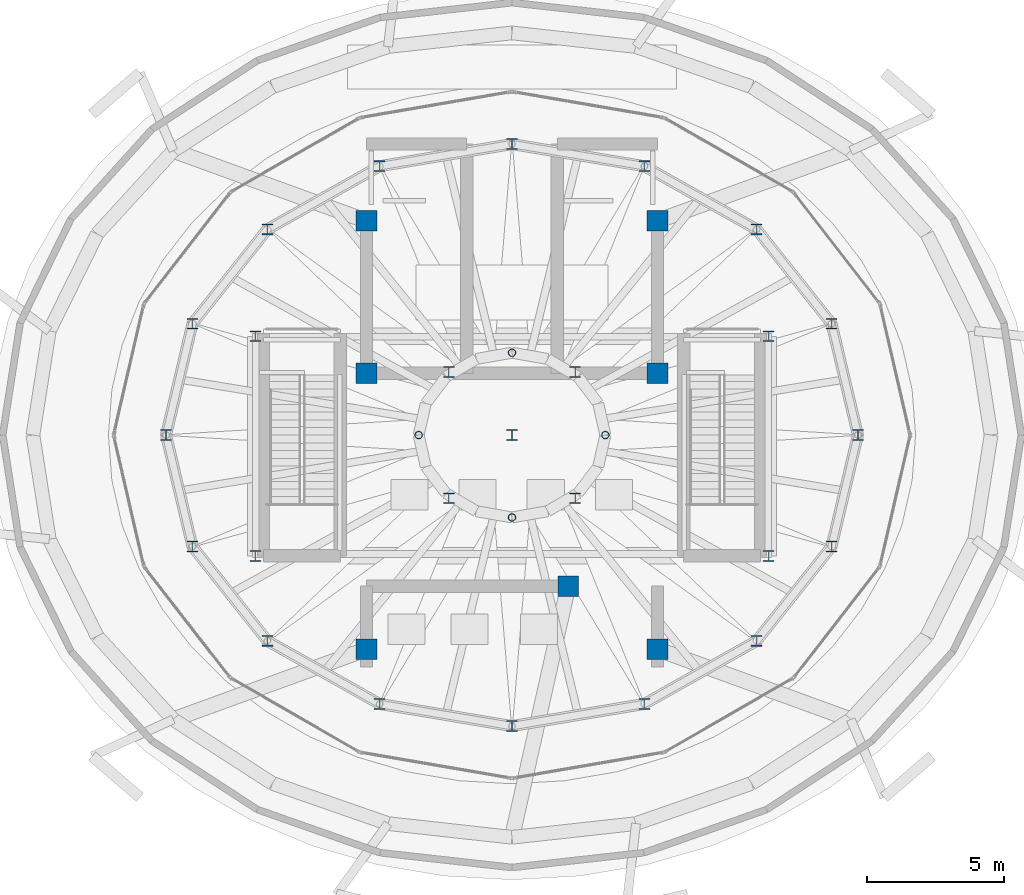
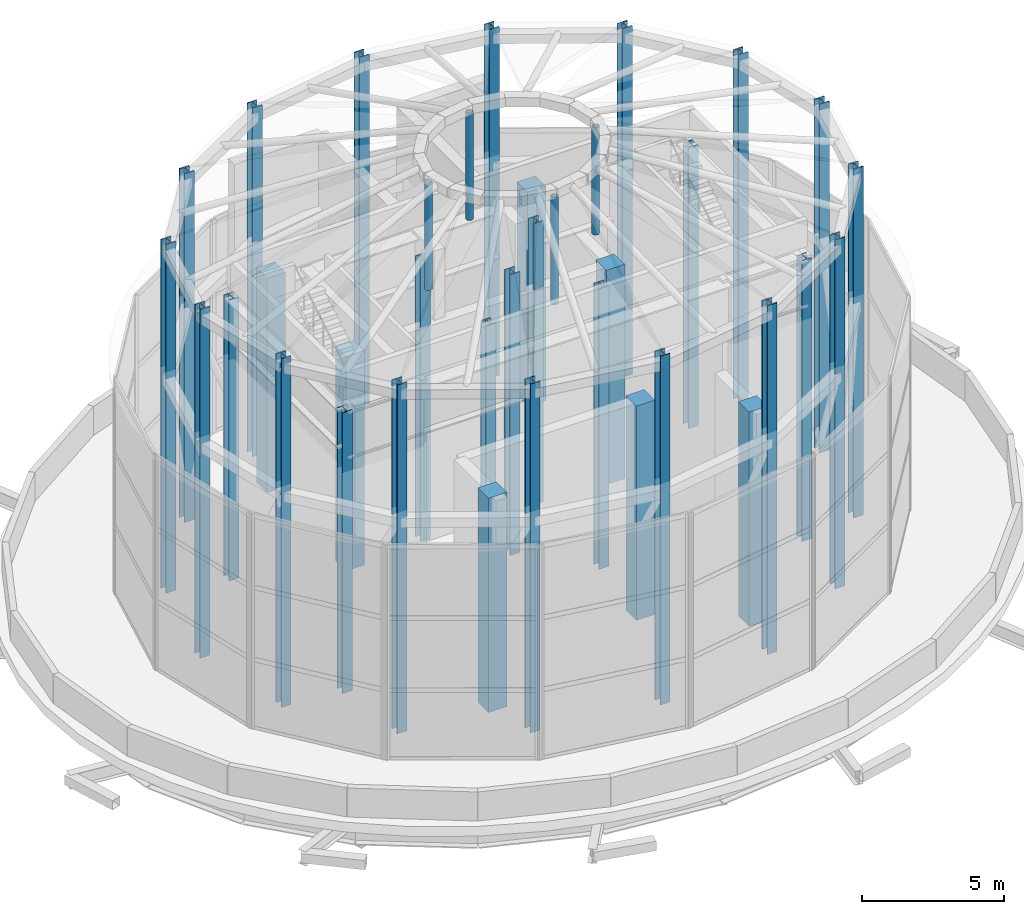
# One storey, part 1 of 22: 36 columns.
"""IFC4 building model written with IfcOpenShell, lengths in metres."""

import ifcopenshell
import ifcopenshell.guid

model = None  # the IFC model being written
_history = None  # IfcOwnerHistory: only IFC2X3 demands one
_inside = {}  # id of a spatial element -> (the spatial element, [elements in it])
_under = {}  # id of a project, library or spatial element -> (it, [spatial elements below it])
_declared = {}  # id of a project -> (the project, [libraries it declares])
_typed = {}  # id of a type object -> (the type object, [elements of that type])
_made_of = {}  # id of a material, layer set ... -> (it, [elements and type objects made of it])


def new_model(schema):
    """Start an empty IFC model of exactly this schema.

    Asked for "IFC4X3", IfcOpenShell would pick the latest addendum, in which some entities
    have other attributes; the version numbers below select the first issue.
    IFC2X3 requires an IfcOwnerHistory on every rooted entity: one is made here for all.
    """
    global model, _history
    if schema == "IFC4X3":
        model = ifcopenshell.file(schema_version=(4, 3, 0, 0))
    else:
        model = ifcopenshell.file(schema=schema)
    _inside.clear()
    _under.clear()
    _declared.clear()
    _typed.clear()
    _made_of.clear()
    _history = None
    if model.schema == "IFC2X3":
        org = make("IfcOrganization", Name="unknown")
        user = make(
            "IfcPersonAndOrganization",
            ThePerson=make("IfcPerson", FamilyName="unknown"),
            TheOrganization=org,
        )
        app = make(
            "IfcApplication",
            ApplicationDeveloper=org,
            Version="unknown",
            ApplicationFullName="unknown",
            ApplicationIdentifier="unknown",
        )
        _history = make(
            "IfcOwnerHistory",
            OwningUser=user,
            OwningApplication=app,
            ChangeAction="ADDED",
            CreationDate=0,
        )
    return model


def make(cls, **values):
    """One entity of the class cls with the attributes given. An attribute that is None is left unset."""
    return model.create_entity(
        cls, **{name: value for name, value in values.items() if value is not None}
    )


def rooted(cls, **values):
    """An entity with a GlobalId (a new one), such as an element, a storey or a relation."""
    return make(cls, GlobalId=ifcopenshell.guid.new(), OwnerHistory=_history, **values)


def si_unit(unit_type, name, prefix=None):
    """IfcSIUnit, for example si_unit("LENGTHUNIT", "METRE", prefix="MILLI")."""
    return make("IfcSIUnit", UnitType=unit_type, Prefix=prefix, Name=name)


def assignment(units):
    """IfcUnitAssignment: the units of a project."""
    return None if units is None else make("IfcUnitAssignment", Units=units)


def point(xyz):
    """IfcCartesianPoint."""
    return None if xyz is None else make("IfcCartesianPoint", Coordinates=xyz)


def direction(xyz):
    """IfcDirection."""
    return None if xyz is None else make("IfcDirection", DirectionRatios=xyz)


def frame(location, z_axis=None, x_axis=None):
    """IfcAxis2Placement3D, a coordinate frame: its origin and axes. An axis left out is left unset."""
    return make(
        "IfcAxis2Placement3D",
        Location=point(location),
        Axis=direction(z_axis),
        RefDirection=direction(x_axis),
    )


def frame_2d(location, x_axis=None):
    """IfcAxis2Placement2D, a coordinate frame in the plane: its origin and x axis."""
    return make(
        "IfcAxis2Placement2D", Location=point(location), RefDirection=direction(x_axis)
    )


def origin():
    """The frame at (0, 0, 0) with its axes left unset."""
    return frame((0.0, 0.0, 0.0))


def origin_2d():
    """The frame at (0, 0) in the plane with its x axis left unset."""
    return frame_2d((0.0, 0.0))


def place(relative_to, where):
    """IfcLocalPlacement: puts the frame where relative to a parent placement (None: the world)."""
    return make(
        "IfcLocalPlacement", PlacementRelTo=relative_to, RelativePlacement=where
    )


def context(
    kind, dimensions, precision=None, world=None, true_north=None, identifier=None
):
    """IfcGeometricRepresentationContext, for example the 3D "Model" context."""
    return make(
        "IfcGeometricRepresentationContext",
        ContextIdentifier=identifier,
        ContextType=kind,
        CoordinateSpaceDimension=dimensions,
        Precision=precision,
        WorldCoordinateSystem=world,
        TrueNorth=true_north,
    )


def subcontext(parent, identifier, kind, view, scale=None):
    """IfcGeometricRepresentationSubContext, for example "Body" below "Model"."""
    return make(
        "IfcGeometricRepresentationSubContext",
        ContextIdentifier=identifier,
        ContextType=kind,
        ParentContext=parent,
        TargetScale=scale,
        TargetView=view,
    )


def project(units=None, contexts=None):
    """IfcProject with its units and contexts."""
    return rooted(
        "IfcProject",
        Name="project",
        RepresentationContexts=contexts,
        UnitsInContext=assignment(units),
    )


def spatial(cls, under=None, at=None, **own):
    """A site, building, storey or space (cls), placed at a placement, below another one or the project."""
    s = rooted(cls, ObjectPlacement=at, **own)
    if under is not None:
        _under.setdefault(under.id(), (under, []))[1].append(s)
    return s


def profile(cls, at=None, kind="AREA", **sizes):
    """A parametric profile (cls). Its sizes go by their IFC names, for example OverallWidth=200.0."""
    return make(cls, ProfileType=kind, Position=at, **sizes)


def rectangle(**sizes):
    """IfcRectangleProfileDef."""
    return profile("IfcRectangleProfileDef", **sizes)


def hollow_circle(**sizes):
    """IfcCircleHollowProfileDef."""
    return profile("IfcCircleHollowProfileDef", **sizes)


def i_section(**sizes):
    """IfcIShapeProfileDef."""
    return profile("IfcIShapeProfileDef", **sizes)


def extrude(swept, where, along, depth):
    """IfcExtrudedAreaSolid: the profile swept, set in the frame where, extruded along a direction by depth."""
    return make(
        "IfcExtrudedAreaSolid",
        SweptArea=swept,
        Position=where,
        ExtrudedDirection=direction(along),
        Depth=depth,
    )


def shape(context_of_items, identifier, shape_type, items):
    """IfcShapeRepresentation: the items that make up one representation, for example the "Body"."""
    return make(
        "IfcShapeRepresentation",
        ContextOfItems=context_of_items,
        RepresentationIdentifier=identifier,
        RepresentationType=shape_type,
        Items=items,
    )


def material(Name=None, Category=None):
    """IfcMaterial."""
    return make("IfcMaterial", Name=Name, Category=Category)


def material_profile(
    of_material, cross_section, Name=None, Category=None, Priority=None
):
    """IfcMaterialProfile: a cross section and its material."""
    return make(
        "IfcMaterialProfile",
        Name=Name,
        Material=of_material,
        Profile=cross_section,
        Priority=Priority,
        Category=Category,
    )


def profile_set(profiles, Name=None, composite=None):
    """IfcMaterialProfileSet."""
    return make(
        "IfcMaterialProfileSet",
        Name=Name,
        MaterialProfiles=profiles,
        CompositeProfile=composite,
    )


def made_of(thing, what):
    """Note that an element or type object is made of a material, layer set ...; save() writes the relation."""
    if what is not None:
        _made_of.setdefault(what.id(), (what, []))[1].append(thing)
    return thing


def type_object(cls, material=None, **own):
    """A type object (cls), such as IfcWallType, which elements share."""
    return made_of(rooted(cls, **own), material)


def element(
    cls,
    number,
    at=None,
    inside=None,
    cuts=None,
    type_object=None,
    material=None,
    context=None,
    identifier="Body",
    shape_type=None,
    held_by="IfcProductDefinitionShape",
    body=None,
    shapes=None,
    **own,
):
    """One element of the class cls, such as IfcWall. Its Tag is "e" and its number.

    at: its placement. inside: the storey or other place that contains it. cuts: it is an
    opening in that element (IfcRelVoidsElement). A single representation is given by context,
    identifier, shape_type and body (its items); several are given by shapes. held_by: the class
    of the entity that holds the representations. save() writes the other relations.
    """
    e = rooted(cls, Tag="e%d" % number, ObjectPlacement=at, **own)
    if body is not None:
        shapes = [shape(context, identifier, shape_type, body)]
    if shapes is not None:
        e.Representation = make(held_by, Representations=shapes)
    if inside is not None:
        _inside.setdefault(inside.id(), (inside, []))[1].append(e)
    if cuts is not None:
        rooted(
            "IfcRelVoidsElement", RelatingBuildingElement=cuts, RelatedOpeningElement=e
        )
    if type_object is not None:
        _typed.setdefault(type_object.id(), (type_object, []))[1].append(e)
    return made_of(e, material)


def aggregate(whole, parts):
    """IfcRelAggregates: a whole, such as a stair, and the parts it consists of."""
    return rooted("IfcRelAggregates", RelatingObject=whole, RelatedObjects=parts)


def save(model, path):
    """Write the relations noted so far, then the file.

    IfcRelAggregates (storeys below a building ...), IfcRelContainedInSpatialStructure (elements
    in a storey), IfcRelDefinesByType, IfcRelAssociatesMaterial and IfcRelDeclares: one each for
    every whole, place, type object, material and project.
    """
    for whole, parts in _under.values():
        aggregate(whole, parts)
    for where, things in _inside.values():
        rooted(
            "IfcRelContainedInSpatialStructure",
            RelatedElements=things,
            RelatingStructure=where,
        )
    for kind, things in _typed.values():
        rooted("IfcRelDefinesByType", RelatedObjects=things, RelatingType=kind)
    for what, things in _made_of.values():
        rooted("IfcRelAssociatesMaterial", RelatedObjects=things, RelatingMaterial=what)
    for by, libraries in _declared.values():
        rooted("IfcRelDeclares", RelatingContext=by, RelatedDefinitions=libraries)
    model.write(path)


model = new_model("IFC4")

# Units and contexts
model_context = context("Model", 3, precision=1e-05, world=origin(), true_north=direction((0.0, 1.0)))
body_context = subcontext(model_context, "Body", "Model", "MODEL_VIEW")
ifc_project = project(units=[si_unit("LENGTHUNIT", "METRE"), si_unit("AREAUNIT", "SQUARE_METRE"), si_unit("VOLUMEUNIT", "CUBIC_METRE"), si_unit("PLANEANGLEUNIT", "RADIAN"), si_unit("MASSUNIT", "GRAM", prefix="KILO")], contexts=[model_context])

# Site, building, storey
site_placement = place(None, origin())
site = spatial("IfcSite", under=ifc_project, at=site_placement, CompositionType="ELEMENT")
building_placement = place(site_placement, origin())
building = spatial("IfcBuilding", under=site, at=building_placement, Name="Nuhasar Tower", CompositionType="ELEMENT")
storey_placement = place(building_placement, frame((0.0, 0.0, 313.39990234375)))
storey = spatial("IfcBuildingStorey", under=building, at=storey_placement, Name="Roof Drum", CompositionType="ELEMENT", Elevation=313.39990234375)

# Columns
ifc_material_1 = material(Name="Steel S355", Category="steel")
ifc_material_profile_1 = material_profile(ifc_material_1, i_section(OverallWidth=0.40087890625, OverallDepth=0.39892578125, WebThickness=0.02490234375, FlangeThickness=0.03955078125, at=origin_2d()), Name="W14X211")
ifc_profile_set_1 = profile_set([ifc_material_profile_1], Name="Steel S355")
column_type_1 = type_object("IfcColumnType", Name="COL-CRN-W14", PredefinedType="COLUMN", material=ifc_profile_set_1)
for number, where, z_axis, x_axis, name in (
    (1, (51.60009765625, 26.800048828125, 0.0), (0.0, 0.0, 1.0), (1.0, 0.0, 0.0), "Crown Drum Column CRN-C01"),
    (2, (50.64111328125, 30.85595703125, 0.0), (0.0, 0.0, 1.0), (1.0, 0.0, 0.0), "Crown Drum Column CRN-C02"),
    (3, (47.909912109375, 34.294921875, 0.0), (0.0, 0.0, 1.0), (1.0, 0.0, 0.0), "Crown Drum Column CRN-C03"),
    (4, (43.822021484375, 36.593017578125, 0.0), (0.0, 0.0, 1.0), (1.0, 0.0, 0.0), "Crown Drum Column CRN-C04"),
    (5, (39.0, 37.39990234375, 0.0), (0.0, 0.0, 1.0), (1.0, 0.0, 0.0), "Crown Drum Column CRN-C05"),
    (6, (34.177978515625, 36.593017578125, 0.0), (0.0, 0.0, 1.0), (1.0, 0.0, 0.0), "Crown Drum Column CRN-C06"),
    (7, (30.090087890625, 34.294921875, 0.0), (0.0, 0.0, 1.0), (1.0, 0.0, 0.0), "Crown Drum Column CRN-C07"),
    (8, (27.35888671875, 30.85595703125, 0.0), (0.0, 0.0, 1.0), (1.0, 0.0, 0.0), "Crown Drum Column CRN-C08"),
    (9, (26.39990234375, 26.800048828125, 0.0), (0.0, 0.0, 1.0), (1.0, 0.0, 0.0), "Crown Drum Column CRN-C09"),
    (10, (27.35888671875, 22.743896484375, 0.0), (0.0, 0.0, 1.0), (1.0, 0.0, 0.0), "Crown Drum Column CRN-C10"),
    (11, (30.090087890625, 19.304931640625, 0.0), (0.0, 0.0, 1.0), (1.0, 0.0, 0.0), "Crown Drum Column CRN-C11"),
    (12, (34.177978515625, 17.007080078125, 0.0), (0.0, 0.0, 1.0), (1.0, 0.0, 0.0), "Crown Drum Column CRN-C12"),
    (13, (39.0, 16.199951171875, 0.0), (0.0, 0.0, 1.0), (1.0, 0.0, 0.0), "Crown Drum Column CRN-C13"),
    (14, (43.822021484375, 17.007080078125, 0.0), (0.0, 0.0, 1.0), (1.0, 0.0, 0.0), "Crown Drum Column CRN-C14"),
    (15, (47.909912109375, 19.304931640625, 0.0), (0.0, 0.0, 1.0), (1.0, 0.0, 0.0), "Crown Drum Column CRN-C15"),
    (16, (50.64111328125, 22.743896484375, 0.0), (0.0, 0.0, 1.0), (1.0, 0.0, 0.0), "Crown Drum Column CRN-C16"),
):
    element("IfcColumn", number, at=place(storey_placement, frame(where, z_axis=z_axis, x_axis=x_axis)), inside=storey, type_object=column_type_1, Name=name, PredefinedType="COLUMN", context=body_context, shape_type="SweptSolid", body=[
        extrude(i_section(OverallWidth=0.40087890625, OverallDepth=0.39892578125, WebThickness=0.02490234375, FlangeThickness=0.03955078125, at=origin_2d()), origin(), (0.0, 0.0, 1.0), 15.0),
    ])
for number, where, z_axis, x_axis, name in (
    (17, (36.699951171875, 24.5, 0.0), (0.0, 0.0, 1.0), (1.0, 0.0, 0.0), "Crown Apex Pedestal Column 1"),
    (18, (41.300048828125, 24.5, 0.0), (0.0, 0.0, 1.0), (1.0, 0.0, 0.0), "Crown Apex Pedestal Column 2"),
    (19, (41.300048828125, 29.10009765625, 0.0), (0.0, 0.0, 1.0), (1.0, 0.0, 0.0), "Crown Apex Pedestal Column 3"),
    (20, (36.699951171875, 29.10009765625, 0.0), (0.0, 0.0, 1.0), (1.0, 0.0, 0.0), "Crown Apex Pedestal Column 4"),
    (21, (29.64990234375, 22.39990234375, 0.0), (0.0, 0.0, 1.0), (1.0, 0.0, 0.0), "Crown Maintenance Stair Column 1"),
    (22, (29.64990234375, 30.39990234375, 0.0), (0.0, 0.0, 1.0), (1.0, 0.0, 0.0), "Crown Maintenance Stair Column 2"),
    (23, (48.35009765625, 22.39990234375, 0.0), (0.0, 0.0, 1.0), (1.0, 0.0, 0.0), "Crown Maintenance Stair Column 3"),
    (24, (48.35009765625, 30.39990234375, 0.0), (0.0, 0.0, 1.0), (1.0, 0.0, 0.0), "Crown Maintenance Stair Column 4"),
    (25, (39.0, 26.800048828125, 0.0), (0.0, 0.0, 1.0), (1.0, 0.0, 0.0), "Crown Apex Central Spire Pedestal"),
):
    element("IfcColumn", number, at=place(storey_placement, frame(where, z_axis=z_axis, x_axis=x_axis)), inside=storey, type_object=column_type_1, Name=name, PredefinedType="COLUMN", context=body_context, shape_type="SweptSolid", body=[
        extrude(i_section(OverallWidth=0.40087890625, OverallDepth=0.39892578125, WebThickness=0.02490234375, FlangeThickness=0.03955078125, at=origin_2d()), origin(), (0.0, 0.0, 1.0), 12.080078125),
    ])
ifc_material_2 = material(Name="Steel S460", Category="steel")
ifc_material_profile_2 = material_profile(ifc_material_2, hollow_circle(Radius=0.136474609375, WallThickness=0.0126953125, at=origin_2d()), Name="HSS273.1X12.7")
ifc_profile_set_2 = profile_set([ifc_material_profile_2], Name="Steel S460")
column_type_2 = type_object("IfcColumnType", Name="COL-MAST-273", PredefinedType="COLUMN", material=ifc_profile_set_2)
for number, where, z_axis, x_axis, name in (
    (26, (42.39990234375, 26.800048828125, 12.5), (0.0, 0.0, 1.0), (1.0, 0.0, 0.0), "Crown Lantern Corner Post 1"),
    (27, (39.0, 29.800048828125, 12.5), (0.0, 0.0, 1.0), (1.0, 0.0, 0.0), "Crown Lantern Corner Post 2"),
    (28, (35.60009765625, 26.800048828125, 12.5), (0.0, 0.0, 1.0), (1.0, 0.0, 0.0), "Crown Lantern Corner Post 3"),
    (29, (39.0, 23.800048828125, 12.5), (0.0, 0.0, 1.0), (1.0, 0.0, 0.0), "Crown Lantern Corner Post 4"),
):
    element("IfcColumn", number, at=place(storey_placement, frame(where, z_axis=z_axis, x_axis=x_axis)), inside=storey, type_object=column_type_2, Name=name, PredefinedType="COLUMN", context=body_context, shape_type="SweptSolid", body=[
        extrude(hollow_circle(Radius=0.136474609375, WallThickness=0.0126953125, at=origin_2d()), origin(), (0.0, 0.0, 1.0), 4.6201171875),
    ])
ifc_material_3 = material(Name="Concrete C50/60", Category="concrete")
ifc_material_profile_3 = material_profile(ifc_material_3, rectangle(XDim=0.75, YDim=0.75, at=origin_2d()), Name="RC750X750")
ifc_profile_set_3 = profile_set([ifc_material_profile_3], Name="Concrete C50/60")
column_type_3 = type_object("IfcColumnType", Name="PIL-RC-750", PredefinedType="PILASTER", material=ifc_profile_set_3)
for number, where, z_axis, x_axis, name in (
    (30, (33.699951171875, 19.0, 0.0), (0.0, 0.0, 1.0), (1.0, 0.0, 0.0), "Roof Drum Core Boundary Pilaster CC-01"),
    (31, (41.050048828125, 21.300048828125, 0.0), (0.0, 0.0, 1.0), (1.0, 0.0, 0.0), "Roof Drum Core Boundary Pilaster CC-02"),
    (32, (44.300048828125, 19.0, 0.0), (0.0, 0.0, 1.0), (1.0, 0.0, 0.0), "Roof Drum Core Boundary Pilaster CC-03"),
    (33, (44.300048828125, 29.050048828125, 0.0), (0.0, 0.0, 1.0), (1.0, 0.0, 0.0), "Roof Drum Core Boundary Pilaster CC-04"),
    (34, (44.300048828125, 34.60009765625, 0.0), (0.0, 0.0, 1.0), (1.0, 0.0, 0.0), "Roof Drum Core Boundary Pilaster CC-05"),
    (35, (33.699951171875, 34.60009765625, 0.0), (0.0, 0.0, 1.0), (1.0, 0.0, 0.0), "Roof Drum Core Boundary Pilaster CC-07"),
    (36, (33.699951171875, 29.050048828125, 0.0), (0.0, 0.0, 1.0), (1.0, 0.0, 0.0), "Roof Drum Core Boundary Pilaster CC-08"),
):
    element("IfcColumn", number, at=place(storey_placement, frame(where, z_axis=z_axis, x_axis=x_axis)), inside=storey, type_object=column_type_3, Name=name, PredefinedType="PILASTER", context=body_context, shape_type="SweptSolid", body=[
        extrude(rectangle(XDim=0.75, YDim=0.75, at=origin_2d()), origin(), (0.0, 0.0, 1.0), 9.22021484375),
    ])

save(model, "model.ifc")
